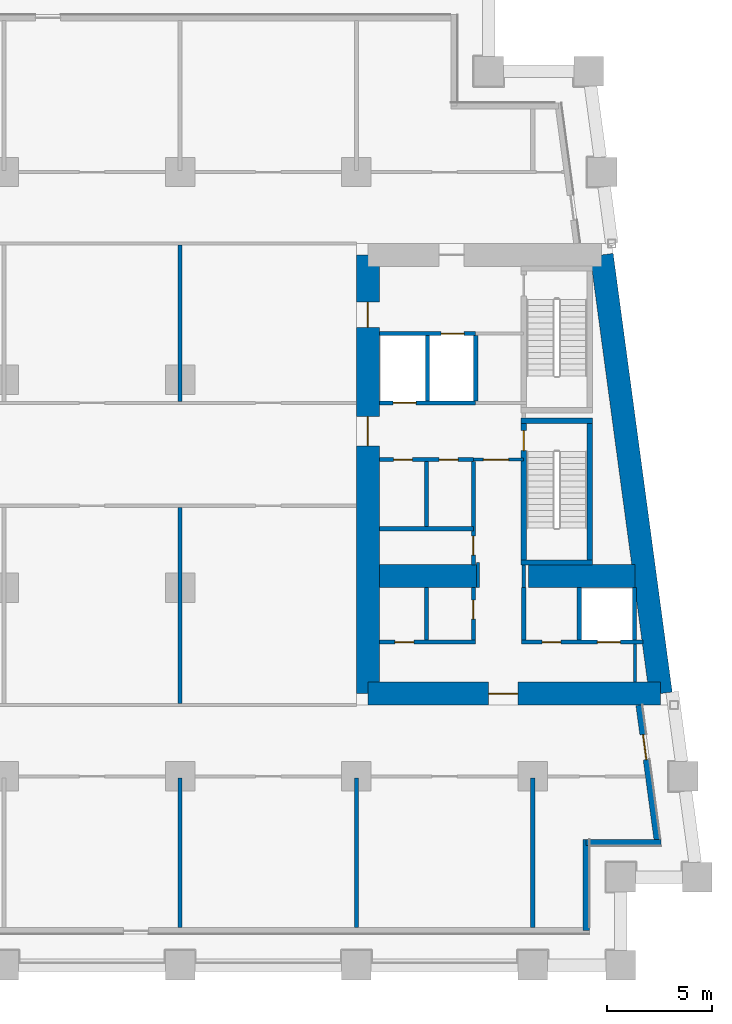
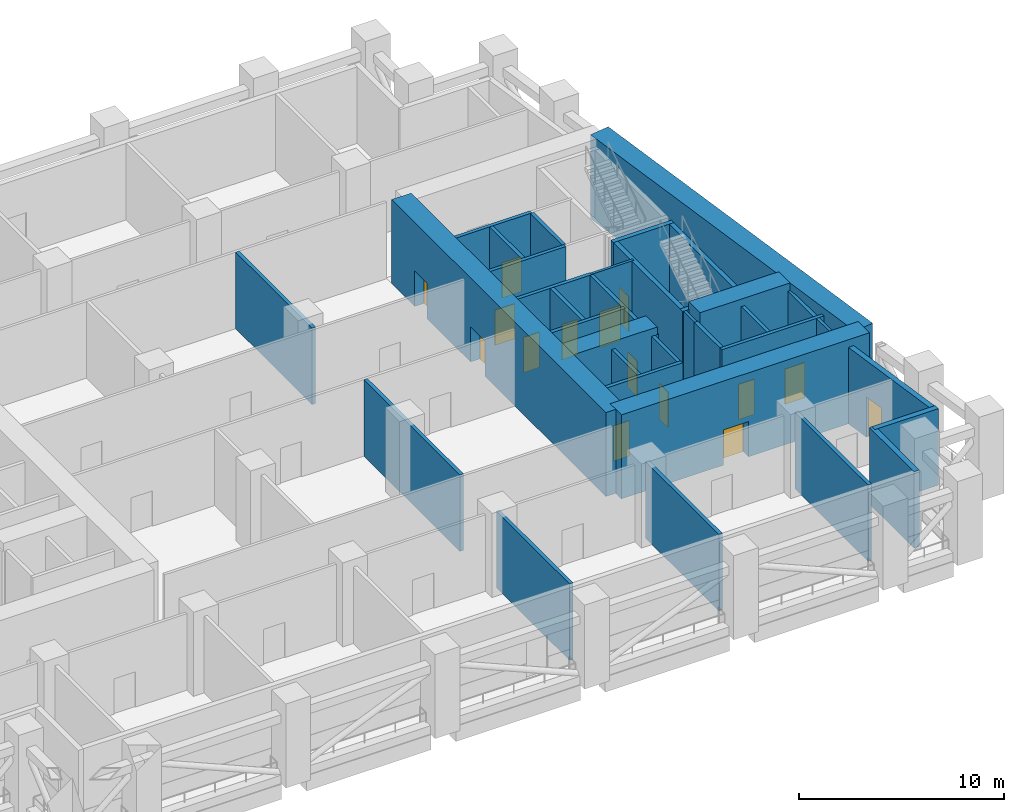
# One storey, part 6 of 12: 36 walls, 15 doors, 15 openings.
"""IFC4 building model written with IfcOpenShell, lengths in metres."""

from ifc_helpers import new_model, si_unit, direction, frame, frame_2d, origin, place, context, subcontext, project, spatial, rectangle, extrude, material, layer, layer_set, type_object, element, fill, save


model = new_model("IFC4")

# Units and contexts
model_context = context("Model", 3, precision=1e-05, world=origin(), true_north=direction((0.0, 1.0)))
body_context = subcontext(model_context, "Body", "Model", "MODEL_VIEW")
ifc_project = project(units=[si_unit("LENGTHUNIT", "METRE"), si_unit("AREAUNIT", "SQUARE_METRE"), si_unit("VOLUMEUNIT", "CUBIC_METRE"), si_unit("PLANEANGLEUNIT", "RADIAN"), si_unit("MASSUNIT", "GRAM", prefix="KILO")], contexts=[model_context])

# Site, building, storey
site_placement = place(None, origin())
site = spatial("IfcSite", under=ifc_project, at=site_placement, CompositionType="ELEMENT")
building_placement = place(site_placement, origin())
building = spatial("IfcBuilding", under=site, at=building_placement, Name="Candeia Pilgrim Tower and Theatre", CompositionType="ELEMENT")
storey_placement = place(building_placement, frame((0.0, 0.0, 81.0)))
storey = spatial("IfcBuildingStorey", under=building, at=storey_placement, Name="L18", CompositionType="ELEMENT", Elevation=81.0)

# Wall
ifc_material_1 = material(Name="Concrete C80/95", Category="concrete")
ifc_layer_1 = layer(ifc_material_1, 1.10009765625)
ifc_layer_set_1 = layer_set([ifc_layer_1], Name="Core wall 1100 C80/95")
wall_type_1 = type_object("IfcWallType", Name="Core wall 1100 C80/95", PredefinedType="SHEAR", material=ifc_layer_set_1)
wall_1_placement = place(storey_placement, frame((137.688232421875, 131.85009765625, 0.0), z_axis=(0.0, 0.0, 1.0), x_axis=(0.133411793472, -0.991060691059, 0.0)))
element("IfcWall", 1, at=wall_1_placement, inside=storey, type_object=wall_type_1, Name="Core wall E2", PredefinedType="SHEAR", context=body_context, shape_type="SweptSolid", body=[
    extrude(rectangle(XDim=21.088623046875, YDim=1.10009765625, at=frame_2d((10.54443359375, 0.0))), origin(), (0.0, 0.0, 1.0), 5.0),
])

# Wall, opening, door
wall_2_placement = place(storey_placement, frame((140.501708984375, 110.949951171875, 0.0), z_axis=(0.0, 0.0, 1.0), x_axis=(-1.0, 0.0, 0.0)))
wall_2 = element("IfcWall", 2, at=wall_2_placement, inside=storey, type_object=wall_type_1, Name="Core wall E3", PredefinedType="SHEAR", context=body_context, shape_type="SweptSolid", body=[
    extrude(rectangle(XDim=13.95166015625, YDim=1.10009765625, at=frame_2d((6.975830078125, 0.0))), origin(), (0.0, 0.0, 1.0), 5.0),
])
opening_1_placement = place(wall_2_placement, frame((6.80419921875, 0.0, 0.0)))
opening_1 = element("IfcOpeningElement", 3, at=opening_1_placement, cuts=wall_2, Name="Opening L18-D042", PredefinedType="OPENING", context=body_context, shape_type="SweptSolid", body=[
    extrude(rectangle(XDim=1.39990234375, YDim=2.10009765625, at=frame_2d((0.699951171875, 1.050048828125))), frame((0.0, 0.56005859375, 0.0), z_axis=(0.0, -1.0, 0.0), x_axis=(1.0, 0.0, 0.0)), (0.0, 0.0, 1.0), 1.1201171875),
])
ifc_material_2 = material(Name="Steel fire door set", Category="steel")
door_type_1 = type_object("IfcDoorType", Name="D-1400-FD60", OperationType="NOTDEFINED", PredefinedType="DOOR", material=ifc_material_2)
door_1_placement = place(opening_1_placement, origin())
door_1 = element("IfcDoor", 4, at=door_1_placement, inside=storey, type_object=door_type_1, Name="Door L18-D042", OperationType="SINGLE_SWING_RIGHT", OverallHeight=2.10009765625, OverallWidth=1.39990234375, PredefinedType="DOOR", context=body_context, shape_type="SweptSolid", body=[
    extrude(rectangle(XDim=1.39990234375, YDim=2.10009765625, at=frame_2d((0.699951171875, 1.050048828125))), frame((0.0, 0.02490234375, 0.0), z_axis=(0.0, -1.0, 0.0), x_axis=(1.0, 0.0, 0.0)), (0.0, 0.0, 1.0), 0.050048828125),
])
fill(opening_1, door_1)

# Wall, openings, doors
wall_3_placement = place(storey_placement, frame((126.550048828125, 110.949951171875, 0.0), z_axis=(0.0, 0.0, 1.0), x_axis=(0.0, 1.0, 0.0)))
wall_3 = element("IfcWall", 5, at=wall_3_placement, inside=storey, type_object=wall_type_1, Name="Core wall E4", PredefinedType="SHEAR", context=body_context, shape_type="SweptSolid", body=[
    extrude(rectangle(XDim=20.900146484375, YDim=1.10009765625, at=frame_2d((10.4501953125, 0.0))), origin(), (0.0, 0.0, 1.0), 5.0),
])
opening_2_placement = place(wall_3_placement, frame((17.449951171875, 0.0, 0.0)))
opening_2 = element("IfcOpeningElement", 6, at=opening_2_placement, cuts=wall_3, Name="Opening L18-D038", PredefinedType="OPENING", context=body_context, shape_type="SweptSolid", body=[
    extrude(rectangle(XDim=1.199951171875, YDim=2.10009765625, at=frame_2d((0.60009765625, 1.050048828125))), frame((0.0, 0.56005859375, 0.0), z_axis=(0.0, -1.0, 0.0), x_axis=(1.0, 0.0, 0.0)), (0.0, 0.0, 1.0), 1.1201171875),
])
opening_3_placement = place(wall_3_placement, frame((11.800048828125, 0.0, 0.0)))
opening_3 = element("IfcOpeningElement", 7, at=opening_3_placement, cuts=wall_3, Name="Opening L18-D044", PredefinedType="OPENING", context=body_context, shape_type="SweptSolid", body=[
    extrude(rectangle(XDim=1.39990234375, YDim=2.10009765625, at=frame_2d((0.699951171875, 1.050048828125))), frame((0.0, 0.56005859375, 0.0), z_axis=(0.0, -1.0, 0.0), x_axis=(1.0, 0.0, 0.0)), (0.0, 0.0, 1.0), 1.1201171875),
])
door_type_2 = type_object("IfcDoorType", Name="D-1200-FD60", OperationType="NOTDEFINED", PredefinedType="DOOR", material=ifc_material_2)
door_2_placement = place(opening_2_placement, origin())
door_2 = element("IfcDoor", 8, at=door_2_placement, inside=storey, type_object=door_type_2, Name="Door L18-D038", OperationType="SINGLE_SWING_RIGHT", OverallHeight=2.10009765625, OverallWidth=1.199951171875, PredefinedType="DOOR", context=body_context, shape_type="SweptSolid", body=[
    extrude(rectangle(XDim=1.199951171875, YDim=2.10009765625, at=frame_2d((0.60009765625, 1.050048828125))), frame((0.0, 0.02490234375, 0.0), z_axis=(0.0, -1.0, 0.0), x_axis=(1.0, 0.0, 0.0)), (0.0, 0.0, 1.0), 0.050048828125),
])
fill(opening_2, door_2)
door_3_placement = place(opening_3_placement, origin())
door_3 = element("IfcDoor", 9, at=door_3_placement, inside=storey, type_object=door_type_1, Name="Door L18-D044", OperationType="SINGLE_SWING_RIGHT", OverallHeight=2.10009765625, OverallWidth=1.39990234375, PredefinedType="DOOR", context=body_context, shape_type="SweptSolid", body=[
    extrude(rectangle(XDim=1.39990234375, YDim=2.10009765625, at=frame_2d((0.699951171875, 1.050048828125))), frame((0.0, 0.02490234375, 0.0), z_axis=(0.0, -1.0, 0.0), x_axis=(1.0, 0.0, 0.0)), (0.0, 0.0, 1.0), 0.050048828125),
])
fill(opening_3, door_3)

# Walls
wall_4_placement = place(storey_placement, frame((127.10009765625, 116.550048828125, 0.0), z_axis=(0.0, 0.0, 1.0), x_axis=(1.0, 0.0, 0.0)))
element("IfcWall", 10, at=wall_4_placement, inside=storey, type_object=wall_type_1, Name="Core wall E5", PredefinedType="SHEAR", context=body_context, shape_type="SweptSolid", body=[
    extrude(rectangle(XDim=4.699951171875, YDim=1.10009765625, at=frame_2d((2.35009765625, 0.0))), origin(), (0.0, 0.0, 1.0), 5.0),
])
wall_5_placement = place(storey_placement, frame((134.199951171875, 116.550048828125, 0.0), z_axis=(0.0, 0.0, 1.0), x_axis=(1.0, 0.0, 0.0)))
element("IfcWall", 11, at=wall_5_placement, inside=storey, type_object=wall_type_1, Name="Core wall E6", PredefinedType="SHEAR", context=body_context, shape_type="SweptSolid", body=[
    extrude(rectangle(XDim=5.076904296875, YDim=1.10009765625, at=frame_2d((2.53857421875, 0.0))), origin(), (0.0, 0.0, 1.0), 5.0),
])
ifc_material_3 = material(Name="Ceramic block masonry", Category="masonry")
ifc_layer_2 = layer(ifc_material_3, 0.300048828125)
ifc_layer_set_2 = layer_set([ifc_layer_2], Name="EW1 glazing-line wall 300")
wall_type_2 = type_object("IfcWallType", Name="EW1 glazing-line wall 300", PredefinedType="SOLIDWALL", material=ifc_layer_set_2)
wall_6_placement = place(storey_placement, frame((136.949951171875, 99.64990234375, 0.0), z_axis=(0.0, 0.0, 1.0), x_axis=(0.0, 1.0, 0.0)))
element("IfcWall", 12, at=wall_6_placement, inside=storey, type_object=wall_type_2, Name="External wall L18-1.0", PredefinedType="SOLIDWALL", context=body_context, shape_type="SweptSolid", body=[
    extrude(rectangle(XDim=4.35009765625, YDim=0.300048828125, at=frame_2d((2.175048828125, 0.0))), origin(), (0.0, 0.0, 1.0), 4.550048828125),
])
wall_7_placement = place(storey_placement, frame((136.949951171875, 103.85009765625, 0.0), z_axis=(0.0, 0.0, 1.0), x_axis=(1.0, 0.0, 0.0)))
element("IfcWall", 13, at=wall_7_placement, inside=storey, type_object=wall_type_2, Name="External wall L18-2.0", PredefinedType="SOLIDWALL", context=body_context, shape_type="SweptSolid", body=[
    extrude(rectangle(XDim=3.569091796875, YDim=0.300048828125, at=frame_2d((1.78466796875, 0.0))), origin(), (0.0, 0.0, 1.0), 4.550048828125),
])

# Wall, opening, door
wall_8_placement = place(storey_placement, frame((140.34765625, 103.85009765625, 0.0), z_axis=(0.0, 0.0, 1.0), x_axis=(-0.133431549479, 0.991058031401, 0.0)))
wall_8 = element("IfcWall", 14, at=wall_8_placement, inside=storey, type_object=wall_type_2, Name="External wall L18-3.0", PredefinedType="SOLIDWALL", context=body_context, shape_type="SweptSolid", body=[
    extrude(rectangle(XDim=6.60888671875, YDim=0.300048828125, at=frame_2d((3.304443359375, 0.0))), origin(), (0.0, 0.0, 1.0), 4.550048828125),
])
opening_4_placement = place(wall_8_placement, frame((3.990966796875, 0.0, 0.0)))
opening_4 = element("IfcOpeningElement", 15, at=opening_4_placement, cuts=wall_8, Name="Opening L18-ED195", PredefinedType="OPENING", context=body_context, shape_type="SweptSolid", body=[
    extrude(rectangle(XDim=1.199951171875, YDim=2.39990234375, at=frame_2d((0.60009765625, 1.199951171875))), frame((0.0, 0.16015625, 0.0), z_axis=(0.0, -1.0, 0.0), x_axis=(1.0, 0.0, 0.0)), (0.0, 0.0, 1.0), 0.320068359375),
])
ifc_material_4 = material(Name="Aluminium framed glazed door", Category="aluminium")
door_type_3 = type_object("IfcDoorType", Name="Loggia door 1200x2400", OperationType="DOUBLE_DOOR_SINGLE_SWING", PredefinedType="DOOR", material=ifc_material_4)
door_4_placement = place(opening_4_placement, origin())
door_4 = element("IfcDoor", 16, at=door_4_placement, inside=storey, type_object=door_type_3, Name="Loggia door L18-ED195", OperationType="DOUBLE_DOOR_SINGLE_SWING", OverallHeight=2.39990234375, OverallWidth=1.199951171875, PredefinedType="DOOR", context=body_context, shape_type="SweptSolid", body=[
    extrude(rectangle(XDim=1.199951171875, YDim=2.39990234375, at=frame_2d((0.60009765625, 1.199951171875))), frame((0.0, 0.02490234375, 0.0), z_axis=(0.0, -1.0, 0.0), x_axis=(1.0, 0.0, 0.0)), (0.0, 0.0, 1.0), 0.050048828125),
])
fill(opening_4, door_4)

ifc_material_5 = material(Name="Gypsum board partition on steel studs", Category="steel")
ifc_layer_3 = layer(ifc_material_5, 0.14990234375)
ifc_layer_set_3 = layer_set([ifc_layer_3], Name="PW-150 lobby wall")
wall_type_3 = type_object("IfcWallType", Name="PW-150 lobby wall", PredefinedType="PARTITIONING", material=ifc_layer_set_3)
wall_9_placement = place(storey_placement, frame((131.572998046875, 122.10009765625, 0.0), z_axis=(0.0, 0.0, 1.0), x_axis=(1.0, 0.0, 0.0)))
wall_9 = element("IfcWall", 17, at=wall_9_placement, inside=storey, type_object=wall_type_3, Name="Lobby wall L18-015", PredefinedType="PARTITIONING", context=body_context, shape_type="SweptSolid", body=[
    extrude(rectangle(XDim=2.39990234375, YDim=0.14990234375, at=frame_2d((1.199951171875, 0.0))), origin(), (0.0, 0.0, 1.0), 4.550048828125),
])
opening_5_placement = place(wall_9_placement, frame((0.47509765625, 0.0, 0.0)))
opening_5 = element("IfcOpeningElement", 18, at=opening_5_placement, cuts=wall_9, Name="Opening L18-D028", PredefinedType="OPENING", context=body_context, shape_type="SweptSolid", body=[
    extrude(rectangle(XDim=1.199951171875, YDim=2.10009765625, at=frame_2d((0.60009765625, 1.050048828125))), frame((0.0, 0.0849609375, 0.0), z_axis=(0.0, -1.0, 0.0), x_axis=(1.0, 0.0, 0.0)), (0.0, 0.0, 1.0), 0.169921875),
])
door_5_placement = place(opening_5_placement, origin())
door_5 = element("IfcDoor", 19, at=door_5_placement, inside=storey, type_object=door_type_2, Name="Door L18-D028", OperationType="SINGLE_SWING_LEFT", OverallHeight=2.10009765625, OverallWidth=1.199951171875, PredefinedType="DOOR", context=body_context, shape_type="SweptSolid", body=[
    extrude(rectangle(XDim=1.199951171875, YDim=2.10009765625, at=frame_2d((0.60009765625, 1.050048828125))), frame((0.0, 0.02490234375, 0.0), z_axis=(0.0, -1.0, 0.0), x_axis=(1.0, 0.0, 0.0)), (0.0, 0.0, 1.0), 0.050048828125),
])
fill(opening_5, door_5)

# Walls
wall_10_placement = place(storey_placement, frame((131.800048828125, 116.0, 0.0), z_axis=(0.0, 0.0, 1.0), x_axis=(0.0, 1.0, 0.0)))
element("IfcWall", 20, at=wall_10_placement, inside=storey, type_object=wall_type_3, Name="Lobby wall L18-068", PredefinedType="PARTITIONING", context=body_context, shape_type="SweptSolid", body=[
    extrude(rectangle(XDim=1.199951171875, YDim=0.14990234375, at=frame_2d((0.60009765625, 0.0))), origin(), (0.0, 0.0, 1.0), 4.550048828125),
])
wall_11_placement = place(storey_placement, frame((133.972900390625, 116.0, 0.0), z_axis=(0.0, 0.0, 1.0), x_axis=(0.0, 1.0, 0.0)))
element("IfcWall", 21, at=wall_11_placement, inside=storey, type_object=wall_type_3, Name="Lobby wall L18-070", PredefinedType="PARTITIONING", context=body_context, shape_type="SweptSolid", body=[
    extrude(rectangle(XDim=1.070068359375, YDim=0.14990234375, at=frame_2d((0.53515625, 0.0))), origin(), (0.0, 0.0, 1.0), 4.550048828125),
])
wall_12_placement = place(storey_placement, frame((139.27001953125, 111.5, 0.0), z_axis=(0.0, 0.0, 1.0), x_axis=(0.0, 1.0, 0.0)))
element("IfcWall", 22, at=wall_12_placement, inside=storey, type_object=wall_type_3, Name="Lobby wall L18-080", PredefinedType="PARTITIONING", context=body_context, shape_type="SweptSolid", body=[
    extrude(rectangle(XDim=1.800048828125, YDim=0.14990234375, at=frame_2d((0.89990234375, 0.0))), origin(), (0.0, 0.0, 1.0), 4.550048828125),
])
ifc_layer_4 = layer(ifc_material_5, 0.199951171875)
ifc_layer_set_4 = layer_set([ifc_layer_4], Name="PW-200 party wall")
wall_type_4 = type_object("IfcWallType", Name="PW-200 party wall", PredefinedType="PARTITIONING", material=ifc_layer_set_4)
wall_13_placement = place(storey_placement, frame((117.60009765625, 99.7900390625, 0.0), z_axis=(0.0, 0.0, 1.0), x_axis=(0.0, 1.0, 0.0)))
element("IfcWall", 23, at=wall_13_placement, inside=storey, type_object=wall_type_4, Name="Party wall L18-056", PredefinedType="PARTITIONING", context=body_context, shape_type="SweptSolid", body=[
    extrude(rectangle(XDim=7.135009765625, YDim=0.199951171875, at=frame_2d((3.5673828125, 0.0))), origin(), (0.0, 0.0, 1.0), 4.550048828125),
])
wall_14_placement = place(storey_placement, frame((117.60009765625, 110.47509765625, 0.0), z_axis=(0.0, 0.0, 1.0), x_axis=(0.0, 1.0, 0.0)))
element("IfcWall", 24, at=wall_14_placement, inside=storey, type_object=wall_type_4, Name="Party wall L18-057", PredefinedType="PARTITIONING", context=body_context, shape_type="SweptSolid", body=[
    extrude(rectangle(XDim=9.349853515625, YDim=0.199951171875, at=frame_2d((4.6748046875, 0.0))), origin(), (0.0, 0.0, 1.0), 4.550048828125),
])
wall_15_placement = place(storey_placement, frame((117.60009765625, 124.875, 0.0), z_axis=(0.0, 0.0, 1.0), x_axis=(0.0, 1.0, 0.0)))
element("IfcWall", 25, at=wall_15_placement, inside=storey, type_object=wall_type_4, Name="Party wall L18-058", PredefinedType="PARTITIONING", context=body_context, shape_type="SweptSolid", body=[
    extrude(rectangle(XDim=7.449951171875, YDim=0.199951171875, at=frame_2d((3.72509765625, 0.0))), origin(), (0.0, 0.0, 1.0), 4.550048828125),
])
for number, where, z_axis, x_axis, name in (
    (26, (126.0, 99.7900390625, 0.0), (0.0, 0.0, 1.0), (0.0, 1.0, 0.0), "Party wall L18-060"),
    (27, (134.39990234375, 99.7900390625, 0.0), (0.0, 0.0, 1.0), (0.0, 1.0, 0.0), "Party wall L18-074"),
):
    element("IfcWall", number, at=place(storey_placement, frame(where, z_axis=z_axis, x_axis=x_axis)), inside=storey, type_object=wall_type_4, Name=name, PredefinedType="PARTITIONING", context=body_context, shape_type="SweptSolid", body=[
        extrude(rectangle(XDim=7.135009765625, YDim=0.199951171875, at=frame_2d((3.5673828125, 0.0))), origin(), (0.0, 0.0, 1.0), 4.550048828125),
    ])

# Wall, opening, door
ifc_material_6 = material(Name="Concrete C40/50", Category="concrete")
ifc_layer_5 = layer(ifc_material_6, 0.199951171875)
ifc_layer_set_5 = layer_set([ifc_layer_5], Name="SW-200 shaft wall")
wall_type_5 = type_object("IfcWallType", Name="SW-200 shaft wall", PredefinedType="PARTITIONING", material=ifc_layer_set_5)
wall_16_placement = place(storey_placement, frame((127.10009765625, 113.39990234375, 0.0), z_axis=(0.0, 0.0, 1.0), x_axis=(1.0, 0.0, 0.0)))
wall_16 = element("IfcWall", 28, at=wall_16_placement, inside=storey, type_object=wall_type_5, Name="Shaft wall L18-005", PredefinedType="PARTITIONING", context=body_context, shape_type="SweptSolid", body=[
    extrude(rectangle(XDim=4.572998046875, YDim=0.199951171875, at=frame_2d((2.28662109375, 0.0))), origin(), (0.0, 0.0, 1.0), 4.550048828125),
])
opening_6_placement = place(wall_16_placement, frame((0.73193359375, 0.0, 0.0)))
opening_6 = element("IfcOpeningElement", 29, at=opening_6_placement, cuts=wall_16, Name="Opening L18-D036", PredefinedType="OPENING", context=body_context, shape_type="SweptSolid", body=[
    extrude(rectangle(XDim=0.89990234375, YDim=2.10009765625, at=frame_2d((0.449951171875, 1.050048828125))), frame((0.0, 0.10986328125, 0.0), z_axis=(0.0, -1.0, 0.0), x_axis=(1.0, 0.0, 0.0)), (0.0, 0.0, 1.0), 0.219970703125),
])
door_type_4 = type_object("IfcDoorType", Name="D-900-FD60", OperationType="NOTDEFINED", PredefinedType="DOOR", material=ifc_material_2)
door_6_placement = place(opening_6_placement, origin())
door_6 = element("IfcDoor", 30, at=door_6_placement, inside=storey, type_object=door_type_4, Name="Door L18-D036", OperationType="SINGLE_SWING_RIGHT", OverallHeight=2.10009765625, OverallWidth=0.89990234375, PredefinedType="DOOR", context=body_context, shape_type="SweptSolid", body=[
    extrude(rectangle(XDim=0.89990234375, YDim=2.10009765625, at=frame_2d((0.449951171875, 1.050048828125))), frame((0.0, 0.02490234375, 0.0), z_axis=(0.0, -1.0, 0.0), x_axis=(1.0, 0.0, 0.0)), (0.0, 0.0, 1.0), 0.050048828125),
])
fill(opening_6, door_6)

# Wall, openings, doors
wall_17_placement = place(storey_placement, frame((133.873046875, 113.39990234375, 0.0), z_axis=(0.0, 0.0, 1.0), x_axis=(1.0, 0.0, 0.0)))
wall_17 = element("IfcWall", 31, at=wall_17_placement, inside=storey, type_object=wall_type_5, Name="Shaft wall L18-006", PredefinedType="PARTITIONING", context=body_context, shape_type="SweptSolid", body=[
    extrude(rectangle(XDim=5.77392578125, YDim=0.199951171875, at=frame_2d((2.886962890625, 0.0))), origin(), (0.0, 0.0, 1.0), 4.550048828125),
])
opening_7_placement = place(wall_17_placement, frame((3.60791015625, 0.0, 0.0)))
opening_7 = element("IfcOpeningElement", 32, at=opening_7_placement, cuts=wall_17, Name="Opening L18-LD08", PredefinedType="OPENING", context=body_context, shape_type="SweptSolid", body=[
    extrude(rectangle(XDim=1.10009765625, YDim=2.10009765625, at=frame_2d((0.550048828125, 1.050048828125))), frame((0.0, 0.10986328125, 0.0), z_axis=(0.0, -1.0, 0.0), x_axis=(1.0, 0.0, 0.0)), (0.0, 0.0, 1.0), 0.219970703125),
])
opening_8_placement = place(wall_17_placement, frame((0.97412109375, 0.0, 0.0)))
opening_8 = element("IfcOpeningElement", 33, at=opening_8_placement, cuts=wall_17, Name="Opening L18-D034", PredefinedType="OPENING", context=body_context, shape_type="SweptSolid", body=[
    extrude(rectangle(XDim=0.89990234375, YDim=2.10009765625, at=frame_2d((0.449951171875, 1.050048828125))), frame((0.0, 0.10986328125, 0.0), z_axis=(0.0, -1.0, 0.0), x_axis=(1.0, 0.0, 0.0)), (0.0, 0.0, 1.0), 0.219970703125),
])
door_7_placement = place(opening_8_placement, origin())
door_7 = element("IfcDoor", 34, at=door_7_placement, inside=storey, type_object=door_type_4, Name="Door L18-D034", OperationType="SINGLE_SWING_RIGHT", OverallHeight=2.10009765625, OverallWidth=0.89990234375, PredefinedType="DOOR", context=body_context, shape_type="SweptSolid", body=[
    extrude(rectangle(XDim=0.89990234375, YDim=2.10009765625, at=frame_2d((0.449951171875, 1.050048828125))), frame((0.0, 0.02490234375, 0.0), z_axis=(0.0, -1.0, 0.0), x_axis=(1.0, 0.0, 0.0)), (0.0, 0.0, 1.0), 0.050048828125),
])
fill(opening_8, door_7)
ifc_material_7 = material(Name="Glazed aluminium landing door", Category="aluminium")
door_type_5 = type_object("IfcDoorType", Name="LD-1100-EI120", OperationType="SLIDING_TO_LEFT", PredefinedType="DOOR", material=ifc_material_7)
door_8_placement = place(opening_7_placement, origin())
door_8 = element("IfcDoor", 35, at=door_8_placement, inside=storey, type_object=door_type_5, Name="Landing door 08 L18", OperationType="SLIDING_TO_LEFT", OverallHeight=2.10009765625, OverallWidth=1.10009765625, PredefinedType="DOOR", context=body_context, shape_type="SweptSolid", body=[
    extrude(rectangle(XDim=1.10009765625, YDim=2.10009765625, at=frame_2d((0.550048828125, 1.050048828125))), frame((0.0, 0.02490234375, 0.0), z_axis=(0.0, -1.0, 0.0), x_axis=(1.0, 0.0, 0.0)), (0.0, 0.0, 1.0), 0.050048828125),
])
fill(opening_7, door_8)

# Wall
wall_18_placement = place(storey_placement, frame((127.10009765625, 118.800048828125, 0.0), z_axis=(0.0, 0.0, 1.0), x_axis=(1.0, 0.0, 0.0)))
element("IfcWall", 36, at=wall_18_placement, inside=storey, type_object=wall_type_5, Name="Shaft wall L18-010", PredefinedType="PARTITIONING", context=body_context, shape_type="SweptSolid", body=[
    extrude(rectangle(XDim=4.472900390625, YDim=0.199951171875, at=frame_2d((2.236328125, 0.0))), origin(), (0.0, 0.0, 1.0), 4.550048828125),
])

# Wall, openings, doors
wall_19_placement = place(storey_placement, frame((127.10009765625, 122.10009765625, 0.0), z_axis=(0.0, 0.0, 1.0), x_axis=(1.0, 0.0, 0.0)))
wall_19 = element("IfcWall", 37, at=wall_19_placement, inside=storey, type_object=wall_type_5, Name="Shaft wall L18-013", PredefinedType="PARTITIONING", context=body_context, shape_type="SweptSolid", body=[
    extrude(rectangle(XDim=4.472900390625, YDim=0.199951171875, at=frame_2d((2.236328125, 0.0))), origin(), (0.0, 0.0, 1.0), 4.550048828125),
])
opening_9_placement = place(wall_19_placement, frame((2.841064453125, 0.0, 0.0)))
opening_9 = element("IfcOpeningElement", 38, at=opening_9_placement, cuts=wall_19, Name="Opening L18-D029", PredefinedType="OPENING", context=body_context, shape_type="SweptSolid", body=[
    extrude(rectangle(XDim=0.89990234375, YDim=2.10009765625, at=frame_2d((0.449951171875, 1.050048828125))), frame((0.0, 0.10986328125, 0.0), z_axis=(0.0, -1.0, 0.0), x_axis=(1.0, 0.0, 0.0)), (0.0, 0.0, 1.0), 0.219970703125),
])
opening_10_placement = place(wall_19_placement, frame((0.66796875, 0.0, 0.0)))
opening_10 = element("IfcOpeningElement", 39, at=opening_10_placement, cuts=wall_19, Name="Opening L18-D030", PredefinedType="OPENING", context=body_context, shape_type="SweptSolid", body=[
    extrude(rectangle(XDim=0.89990234375, YDim=2.10009765625, at=frame_2d((0.449951171875, 1.050048828125))), frame((0.0, 0.10986328125, 0.0), z_axis=(0.0, -1.0, 0.0), x_axis=(1.0, 0.0, 0.0)), (0.0, 0.0, 1.0), 0.219970703125),
])
door_9_placement = place(opening_9_placement, origin())
door_9 = element("IfcDoor", 40, at=door_9_placement, inside=storey, type_object=door_type_4, Name="Door L18-D029", OperationType="SINGLE_SWING_RIGHT", OverallHeight=2.10009765625, OverallWidth=0.89990234375, PredefinedType="DOOR", context=body_context, shape_type="SweptSolid", body=[
    extrude(rectangle(XDim=0.89990234375, YDim=2.10009765625, at=frame_2d((0.449951171875, 1.050048828125))), frame((0.0, 0.02490234375, 0.0), z_axis=(0.0, -1.0, 0.0), x_axis=(1.0, 0.0, 0.0)), (0.0, 0.0, 1.0), 0.050048828125),
])
fill(opening_9, door_9)
door_10_placement = place(opening_10_placement, origin())
door_10 = element("IfcDoor", 41, at=door_10_placement, inside=storey, type_object=door_type_4, Name="Door L18-D030", OperationType="SINGLE_SWING_LEFT", OverallHeight=2.10009765625, OverallWidth=0.89990234375, PredefinedType="DOOR", context=body_context, shape_type="SweptSolid", body=[
    extrude(rectangle(XDim=0.89990234375, YDim=2.10009765625, at=frame_2d((0.449951171875, 1.050048828125))), frame((0.0, 0.02490234375, 0.0), z_axis=(0.0, -1.0, 0.0), x_axis=(1.0, 0.0, 0.0)), (0.0, 0.0, 1.0), 0.050048828125),
])
fill(opening_10, door_10)

# Wall, opening, door
wall_20_placement = place(storey_placement, frame((127.10009765625, 124.800048828125, 0.0), z_axis=(0.0, 0.0, 1.0), x_axis=(1.0, 0.0, 0.0)))
wall_20 = element("IfcWall", 42, at=wall_20_placement, inside=storey, type_object=wall_type_5, Name="Shaft wall L18-021", PredefinedType="PARTITIONING", context=body_context, shape_type="SweptSolid", body=[
    extrude(rectangle(XDim=4.581787109375, YDim=0.199951171875, at=frame_2d((2.291015625, 0.0))), origin(), (0.0, 0.0, 1.0), 4.550048828125),
])
opening_11_placement = place(wall_20_placement, frame((0.64501953125, 0.0, 0.0)))
opening_11 = element("IfcOpeningElement", 43, at=opening_11_placement, cuts=wall_20, Name="Opening L18-LD07", PredefinedType="OPENING", context=body_context, shape_type="SweptSolid", body=[
    extrude(rectangle(XDim=1.10009765625, YDim=2.10009765625, at=frame_2d((0.550048828125, 1.050048828125))), frame((0.0, 0.10986328125, 0.0), z_axis=(0.0, -1.0, 0.0), x_axis=(1.0, 0.0, 0.0)), (0.0, 0.0, 1.0), 0.219970703125),
])
door_11_placement = place(opening_11_placement, origin())
door_11 = element("IfcDoor", 44, at=door_11_placement, inside=storey, type_object=door_type_5, Name="Landing door 07 L18", OperationType="SLIDING_TO_LEFT", OverallHeight=2.10009765625, OverallWidth=1.10009765625, PredefinedType="DOOR", context=body_context, shape_type="SweptSolid", body=[
    extrude(rectangle(XDim=1.10009765625, YDim=2.10009765625, at=frame_2d((0.550048828125, 1.050048828125))), frame((0.0, 0.02490234375, 0.0), z_axis=(0.0, -1.0, 0.0), x_axis=(1.0, 0.0, 0.0)), (0.0, 0.0, 1.0), 0.050048828125),
])
fill(opening_11, door_11)

wall_21_placement = place(storey_placement, frame((127.10009765625, 128.10009765625, 0.0), z_axis=(0.0, 0.0, 1.0), x_axis=(1.0, 0.0, 0.0)))
wall_21 = element("IfcWall", 45, at=wall_21_placement, inside=storey, type_object=wall_type_5, Name="Shaft wall L18-025", PredefinedType="PARTITIONING", context=body_context, shape_type="SweptSolid", body=[
    extrude(rectangle(XDim=4.581787109375, YDim=0.199951171875, at=frame_2d((2.291015625, 0.0))), origin(), (0.0, 0.0, 1.0), 4.550048828125),
])
opening_12_placement = place(wall_21_placement, frame((2.93603515625, 0.0, 0.0)))
opening_12 = element("IfcOpeningElement", 46, at=opening_12_placement, cuts=wall_21, Name="Opening L18-LD06", PredefinedType="OPENING", context=body_context, shape_type="SweptSolid", body=[
    extrude(rectangle(XDim=1.10009765625, YDim=2.10009765625, at=frame_2d((0.550048828125, 1.050048828125))), frame((0.0, 0.10986328125, 0.0), z_axis=(0.0, -1.0, 0.0), x_axis=(1.0, 0.0, 0.0)), (0.0, 0.0, 1.0), 0.219970703125),
])
door_12_placement = place(opening_12_placement, origin())
door_12 = element("IfcDoor", 47, at=door_12_placement, inside=storey, type_object=door_type_5, Name="Landing door 06 L18", OperationType="SLIDING_TO_LEFT", OverallHeight=2.10009765625, OverallWidth=1.10009765625, PredefinedType="DOOR", context=body_context, shape_type="SweptSolid", body=[
    extrude(rectangle(XDim=1.10009765625, YDim=2.10009765625, at=frame_2d((0.550048828125, 1.050048828125))), frame((0.0, 0.02490234375, 0.0), z_axis=(0.0, -1.0, 0.0), x_axis=(1.0, 0.0, 0.0)), (0.0, 0.0, 1.0), 0.050048828125),
])
fill(opening_12, door_12)

# Walls
wall_22_placement = place(storey_placement, frame((129.33642578125, 113.5, 0.0), z_axis=(0.0, 0.0, 1.0), x_axis=(0.0, 1.0, 0.0)))
element("IfcWall", 48, at=wall_22_placement, inside=storey, type_object=wall_type_5, Name="Shaft wall L18-062", PredefinedType="PARTITIONING", context=body_context, shape_type="SweptSolid", body=[
    extrude(rectangle(XDim=2.5, YDim=0.199951171875, at=frame_2d((1.25, 0.0))), origin(), (0.0, 0.0, 1.0), 4.550048828125),
])
for number, where, z_axis, x_axis, name in (
    (49, (129.33642578125, 118.89990234375, 0.0), (0.0, 0.0, 1.0), (0.0, 1.0, 0.0), "Shaft wall L18-063"),
    (50, (129.39111328125, 124.89990234375, 0.0), (0.0, 0.0, 1.0), (0.0, 1.0, 0.0), "Shaft wall L18-064"),
):
    element("IfcWall", number, at=place(storey_placement, frame(where, z_axis=z_axis, x_axis=x_axis)), inside=storey, type_object=wall_type_5, Name=name, PredefinedType="PARTITIONING", context=body_context, shape_type="SweptSolid", body=[
        extrude(rectangle(XDim=3.10009765625, YDim=0.199951171875, at=frame_2d((1.550048828125, 0.0))), origin(), (0.0, 0.0, 1.0), 4.550048828125),
    ])

# Wall, opening, door
wall_23_placement = place(storey_placement, frame((131.572998046875, 113.5, 0.0), z_axis=(0.0, 0.0, 1.0), x_axis=(0.0, 1.0, 0.0)))
wall_23 = element("IfcWall", 51, at=wall_23_placement, inside=storey, type_object=wall_type_5, Name="Shaft wall L18-065", PredefinedType="PARTITIONING", context=body_context, shape_type="SweptSolid", body=[
    extrude(rectangle(XDim=2.5, YDim=0.199951171875, at=frame_2d((1.25, 0.0))), origin(), (0.0, 0.0, 1.0), 4.550048828125),
])
opening_13_placement = place(wall_23_placement, frame((1.0, 0.0, 0.0)))
opening_13 = element("IfcOpeningElement", 52, at=opening_13_placement, cuts=wall_23, Name="Opening L18-D035", PredefinedType="OPENING", context=body_context, shape_type="SweptSolid", body=[
    extrude(rectangle(XDim=0.89990234375, YDim=2.10009765625, at=frame_2d((0.449951171875, 1.050048828125))), frame((0.0, 0.10986328125, 0.0), z_axis=(0.0, -1.0, 0.0), x_axis=(1.0, 0.0, 0.0)), (0.0, 0.0, 1.0), 0.219970703125),
])
door_13_placement = place(opening_13_placement, origin())
door_13 = element("IfcDoor", 53, at=door_13_placement, inside=storey, type_object=door_type_4, Name="Door L18-D035", OperationType="SINGLE_SWING_LEFT", OverallHeight=2.10009765625, OverallWidth=0.89990234375, PredefinedType="DOOR", context=body_context, shape_type="SweptSolid", body=[
    extrude(rectangle(XDim=0.89990234375, YDim=2.10009765625, at=frame_2d((0.449951171875, 1.050048828125))), frame((0.0, 0.02490234375, 0.0), z_axis=(0.0, -1.0, 0.0), x_axis=(1.0, 0.0, 0.0)), (0.0, 0.0, 1.0), 0.050048828125),
])
fill(opening_13, door_13)

wall_24_placement = place(storey_placement, frame((131.572998046875, 117.070068359375, 0.0), z_axis=(0.0, 0.0, 1.0), x_axis=(0.0, 1.0, 0.0)))
wall_24 = element("IfcWall", 54, at=wall_24_placement, inside=storey, type_object=wall_type_5, Name="Shaft wall L18-066", PredefinedType="PARTITIONING", context=body_context, shape_type="SweptSolid", body=[
    extrude(rectangle(XDim=4.929931640625, YDim=0.199951171875, at=frame_2d((2.46484375, 0.0))), origin(), (0.0, 0.0, 1.0), 4.550048828125),
])
opening_14_placement = place(wall_24_placement, frame((0.47998046875, 0.0, 0.0)))
opening_14 = element("IfcOpeningElement", 55, at=opening_14_placement, cuts=wall_24, Name="Opening L18-D033", PredefinedType="OPENING", context=body_context, shape_type="SweptSolid", body=[
    extrude(rectangle(XDim=0.89990234375, YDim=2.10009765625, at=frame_2d((0.449951171875, 1.050048828125))), frame((0.0, 0.10986328125, 0.0), z_axis=(0.0, -1.0, 0.0), x_axis=(1.0, 0.0, 0.0)), (0.0, 0.0, 1.0), 0.219970703125),
])
door_14_placement = place(opening_14_placement, origin())
door_14 = element("IfcDoor", 56, at=door_14_placement, inside=storey, type_object=door_type_4, Name="Door L18-D033", OperationType="SINGLE_SWING_RIGHT", OverallHeight=2.10009765625, OverallWidth=0.89990234375, PredefinedType="DOOR", context=body_context, shape_type="SweptSolid", body=[
    extrude(rectangle(XDim=0.89990234375, YDim=2.10009765625, at=frame_2d((0.449951171875, 1.050048828125))), frame((0.0, 0.02490234375, 0.0), z_axis=(0.0, -1.0, 0.0), x_axis=(1.0, 0.0, 0.0)), (0.0, 0.0, 1.0), 0.050048828125),
])
fill(opening_14, door_14)

# Walls
wall_25_placement = place(storey_placement, frame((131.681884765625, 124.89990234375, 0.0), z_axis=(0.0, 0.0, 1.0), x_axis=(0.0, 1.0, 0.0)))
element("IfcWall", 57, at=wall_25_placement, inside=storey, type_object=wall_type_5, Name="Shaft wall L18-067", PredefinedType="PARTITIONING", context=body_context, shape_type="SweptSolid", body=[
    extrude(rectangle(XDim=3.10009765625, YDim=0.199951171875, at=frame_2d((1.550048828125, 0.0))), origin(), (0.0, 0.0, 1.0), 4.550048828125),
])
for number, where, z_axis, x_axis, name in (
    (58, (133.972900390625, 113.5, 0.0), (0.0, 0.0, 1.0), (0.0, 1.0, 0.0), "Shaft wall L18-069"),
    (59, (136.62158203125, 113.5, 0.0), (0.0, 0.0, 1.0), (0.0, 1.0, 0.0), "Shaft wall L18-076"),
    (60, (139.247802734375, 113.5, 0.0), (0.0, 0.0, 1.0), (0.0, 1.0, 0.0), "Shaft wall L18-079"),
):
    element("IfcWall", number, at=place(storey_placement, frame(where, z_axis=z_axis, x_axis=x_axis)), inside=storey, type_object=wall_type_5, Name=name, PredefinedType="PARTITIONING", context=body_context, shape_type="SweptSolid", body=[
        extrude(rectangle(XDim=2.5, YDim=0.199951171875, at=frame_2d((1.25, 0.0))), origin(), (0.0, 0.0, 1.0), 4.550048828125),
    ])
ifc_layer_6 = layer(ifc_material_6, 0.25)
ifc_layer_set_6 = layer_set([ifc_layer_6], Name="SW-250 stair wall")
wall_type_6 = type_object("IfcWallType", Name="SW-250 stair wall", PredefinedType="PARTITIONING", material=ifc_layer_set_6)
for number, where, z_axis, x_axis, name in (
    (61, (133.847900390625, 117.199951171875, 0.0), (0.0, 0.0, 1.0), (1.0, 0.0, 0.0), "Stair wall L18-008"),
    (62, (133.847900390625, 123.949951171875, 0.0), (0.0, 0.0, 1.0), (1.0, 0.0, 0.0), "Stair wall L18-017"),
):
    element("IfcWall", number, at=place(storey_placement, frame(where, z_axis=z_axis, x_axis=x_axis)), inside=storey, type_object=wall_type_6, Name=name, PredefinedType="PARTITIONING", context=body_context, shape_type="SweptSolid", body=[
        extrude(rectangle(XDim=3.400146484375, YDim=0.25, at=frame_2d((1.7001953125, 0.0))), origin(), (0.0, 0.0, 1.0), 4.550048828125),
    ])

# Wall, opening, door
wall_26_placement = place(storey_placement, frame((133.972900390625, 117.070068359375, 0.0), z_axis=(0.0, 0.0, 1.0), x_axis=(0.0, 1.0, 0.0)))
wall_26 = element("IfcWall", 63, at=wall_26_placement, inside=storey, type_object=wall_type_6, Name="Stair wall L18-072", PredefinedType="PARTITIONING", context=body_context, shape_type="SweptSolid", body=[
    extrude(rectangle(XDim=6.7548828125, YDim=0.25, at=frame_2d((3.37744140625, 0.0))), origin(), (0.0, 0.0, 1.0), 4.550048828125),
])
opening_15_placement = place(wall_26_placement, frame((5.455078125, 0.0, 0.0)))
opening_15 = element("IfcOpeningElement", 64, at=opening_15_placement, cuts=wall_26, Name="Opening L18-D031", PredefinedType="OPENING", context=body_context, shape_type="SweptSolid", body=[
    extrude(rectangle(XDim=0.949951171875, YDim=2.10009765625, at=frame_2d((0.47509765625, 1.050048828125))), frame((0.0, 0.135009765625, 0.0), z_axis=(0.0, -1.0, 0.0), x_axis=(1.0, 0.0, 0.0)), (0.0, 0.0, 1.0), 0.27001953125),
])
door_type_6 = type_object("IfcDoorType", Name="D-950-FD60", OperationType="NOTDEFINED", PredefinedType="DOOR", material=ifc_material_2)
door_15_placement = place(opening_15_placement, origin())
door_15 = element("IfcDoor", 65, at=door_15_placement, inside=storey, type_object=door_type_6, Name="Door L18-D031", OperationType="SINGLE_SWING_RIGHT", OverallHeight=2.10009765625, OverallWidth=0.949951171875, PredefinedType="DOOR", context=body_context, shape_type="SweptSolid", body=[
    extrude(rectangle(XDim=0.949951171875, YDim=2.10009765625, at=frame_2d((0.47509765625, 1.050048828125))), frame((0.0, 0.02490234375, 0.0), z_axis=(0.0, -1.0, 0.0), x_axis=(1.0, 0.0, 0.0)), (0.0, 0.0, 1.0), 0.050048828125),
])
fill(opening_15, door_15)

# Wall
wall_27_placement = place(storey_placement, frame((137.123046875, 117.070068359375, 0.0), z_axis=(0.0, 0.0, 1.0), x_axis=(0.0, 1.0, 0.0)))
element("IfcWall", 66, at=wall_27_placement, inside=storey, type_object=wall_type_6, Name="Stair wall L18-077", PredefinedType="PARTITIONING", context=body_context, shape_type="SweptSolid", body=[
    extrude(rectangle(XDim=6.7548828125, YDim=0.25, at=frame_2d((3.37744140625, 0.0))), origin(), (0.0, 0.0, 1.0), 4.550048828125),
])

save(model, "model.ifc")
